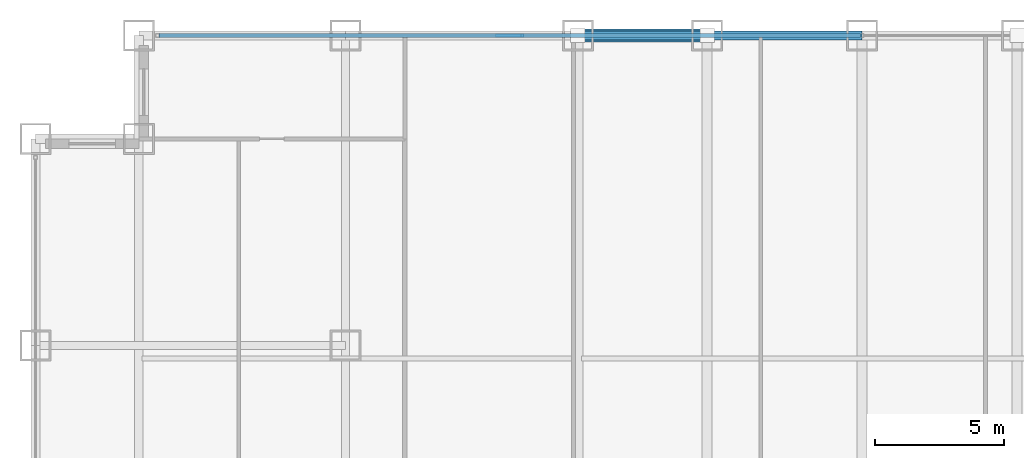
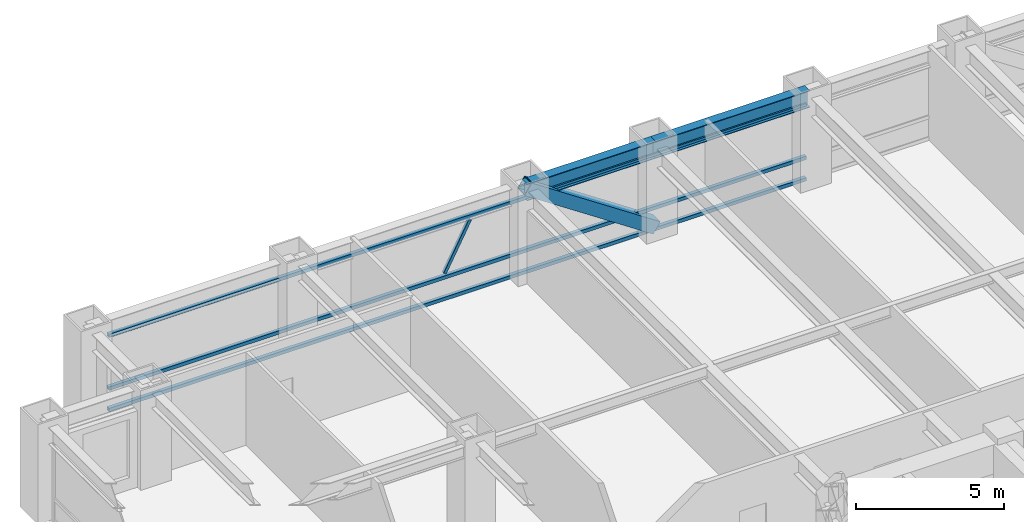
# One storey, part 18 of 27: 5 members, 2 beams, 1 element without a shape of its own.
"""IFC4 building model written with IfcOpenShell, lengths in metres."""

from ifc_helpers import new_model, si_unit, direction, frame, origin, origin_2d, place, context, subcontext, project, spatial, hollow_rectangle, i_section, extrude, source, transform, mapped, material, material_profile, profile_set, type_object, element, aggregate, save


model = new_model("IFC4")

# Units and contexts
model_context = context("Model", 3, precision=1e-05, world=origin(), true_north=direction((0.0, 1.0)))
body_context = subcontext(model_context, "Body", "Model", "MODEL_VIEW")
ifc_project = project(units=[si_unit("LENGTHUNIT", "METRE"), si_unit("AREAUNIT", "SQUARE_METRE"), si_unit("VOLUMEUNIT", "CUBIC_METRE"), si_unit("PLANEANGLEUNIT", "RADIAN"), si_unit("MASSUNIT", "GRAM", prefix="KILO")], contexts=[model_context])

# Site, building, storey
site_placement = place(None, origin())
site = spatial("IfcSite", under=ifc_project, at=site_placement, CompositionType="ELEMENT")
building_placement = place(site_placement, origin())
building = spatial("IfcBuilding", under=site, at=building_placement, Name="Khorayat Bourse Tower", CompositionType="ELEMENT")
storey_placement = place(building_placement, frame((0.0, 0.0, 140.60009765625)))
storey = spatial("IfcBuildingStorey", under=building, at=storey_placement, Name="L32", CompositionType="ELEMENT", Elevation=140.60009765625)

# Beams
ifc_material_1 = material(Name="Steel ASTM A992 Grade 50", Category="steel")
ifc_material_profile_1 = material_profile(ifc_material_1, i_section(OverallWidth=0.35498046875, OverallDepth=0.695068359375, WebThickness=0.015380859375, FlangeThickness=0.02490234375, FilletRadius=0.01806640625, at=origin_2d()), Name="W690X217")
ifc_profile_set_1 = profile_set([ifc_material_profile_1], Name="Steel ASTM A992 Grade 50")
beam_type = type_object("IfcBeamType", Name="BM-SPAN-690", PredefinedType="SPANDREL", material=ifc_profile_set_1)
shared_shape_1 = source(origin(), body_context, "Body", "SweptSolid", [
    extrude(i_section(OverallWidth=0.35498046875, OverallDepth=0.695068359375, WebThickness=0.015380859375, FlangeThickness=0.02490234375, FilletRadius=0.01806640625, at=origin_2d()), origin(), (0.0, 0.0, 1.0), 5.0),
])
beam_1_placement = place(storey_placement, frame((-11.0, 32.0, 3.412353515625), z_axis=(1.0, 0.0, 0.0), x_axis=(0.0, 1.0, 0.0)))
element("IfcBeam", 1, at=beam_1_placement, inside=storey, type_object=beam_type, Name="L32 BM-SPAN-690 BM-L32-SPN-049", PredefinedType="SPANDREL", context=body_context, shape_type="MappedRepresentation", body=[
    mapped(shared_shape_1, transform((0.0, 0.0, 0.0), scale=1.0)),
])
shared_shape_2 = source(origin(), body_context, "Body", "SweptSolid", [
    extrude(i_section(OverallWidth=0.35498046875, OverallDepth=0.695068359375, WebThickness=0.015380859375, FlangeThickness=0.02490234375, FilletRadius=0.01806640625, at=origin_2d()), origin(), (0.0, 0.0, 1.0), 6.0),
])
beam_2_placement = place(storey_placement, frame((-6.0, 32.0, 3.412353515625), z_axis=(1.0, 0.0, 0.0), x_axis=(0.0, 1.0, 0.0)))
element("IfcBeam", 2, at=beam_2_placement, inside=storey, type_object=beam_type, Name="L32 BM-SPAN-690 BM-L32-SPN-048", PredefinedType="SPANDREL", context=body_context, shape_type="MappedRepresentation", body=[
    mapped(shared_shape_2, transform((0.0, 0.0, 0.0), scale=1.0)),
])

# Member
ifc_material_2 = material(Name="Steel EN 10025-4 S460M", Category="steel")
ifc_material_profile_2 = material_profile(ifc_material_2, hollow_rectangle(XDim=0.5, YDim=0.5, WallThickness=0.028076171875, at=origin_2d()), Name="HSS 500x500x28")
ifc_profile_set_2 = profile_set([ifc_material_profile_2], Name="Steel EN 10025-4 S460M")
member_type_1 = type_object("IfcMemberType", Name="MBR-TUBE-500", PredefinedType="BRACE", material=ifc_profile_set_2)
shared_shape_3 = source(origin(), body_context, "Body", "SweptSolid", [
    extrude(hollow_rectangle(XDim=0.5, YDim=0.5, WallThickness=0.028076171875, at=origin_2d()), origin(), (0.0, 0.0, 1.0), 6.012939453125),
])
member_1_placement = place(storey_placement, frame((-11.0, 32.0, 3.58984375), z_axis=(0.831550226979, 0.0, -0.555449565677), x_axis=(0.0, 1.0, 0.0)))
element("IfcMember", 3, at=member_1_placement, inside=storey, type_object=member_type_1, Name="L32 Perimeter Tube Brace 03", PredefinedType="BRACE", context=body_context, shape_type="MappedRepresentation", body=[
    mapped(shared_shape_3, transform((0.0, 0.0, 0.0), scale=1.0)),
])

# Curtain wall, members
ifc_material_3 = material(Name="Aluminium EN AW-6063 T6", Category="aluminium")
curtain_wall_type = type_object("IfcCurtainWallType", Name="CW-SYS-02", PredefinedType="NOTDEFINED", material=ifc_material_3)
curtain_wall_placement = place(storey_placement, origin())
curtain_wall = element("IfcCurtainWall", 4, at=curtain_wall_placement, inside=storey, type_object=curtain_wall_type, Name="L32 Curtain Wall CW-L32-N1", PredefinedType="NOTDEFINED")
ifc_material_profile_3 = material_profile(ifc_material_3, hollow_rectangle(XDim=0.139892578125, YDim=0.139892578125, WallThickness=0.006103515625, at=origin_2d()), Name="ALU 140x140x6")
ifc_profile_set_3 = profile_set([ifc_material_profile_3], Name="Aluminium EN AW-6063 T6")
member_type_2 = type_object("IfcMemberType", Name="CWT-HORZ-140", PredefinedType="USERDEFINED", material=ifc_profile_set_3)
shared_shape_4 = source(origin(), body_context, "Body", "SweptSolid", [
    extrude(hollow_rectangle(XDim=0.139892578125, YDim=0.139892578125, WallThickness=0.006103515625, at=origin_2d()), origin(), (0.0, 0.0, 1.0), 27.139892578125),
])
member_2_placement = place(storey_placement, frame((-27.2099609375, 32.0, 0.06982421875), z_axis=(1.0, 0.0, 0.0), x_axis=(0.0, 1.0, 0.0)))
member_2 = element("IfcMember", 5, at=member_2_placement, type_object=member_type_2, Name="CW-L32-N1 Horizontal Transom 1-1", ObjectType="TRANSOM", PredefinedType="USERDEFINED", context=body_context, shape_type="MappedRepresentation", body=[
    mapped(shared_shape_4, transform((0.0, 0.0, 0.0), scale=1.0)),
])
member_3_placement = place(storey_placement, frame((-27.2099609375, 32.0, 0.949951171875), z_axis=(1.0, 0.0, 0.0), x_axis=(0.0, 1.0, 0.0)))
member_3 = element("IfcMember", 6, at=member_3_placement, type_object=member_type_2, Name="CW-L32-N1 Horizontal Transom 1-2", ObjectType="TRANSOM", PredefinedType="USERDEFINED", context=body_context, shape_type="MappedRepresentation", body=[
    mapped(shared_shape_4, transform((0.0, 0.0, 0.0), scale=1.0)),
])
member_4_placement = place(storey_placement, frame((-27.2099609375, 32.0, 3.119873046875), z_axis=(1.0, 0.0, 0.0), x_axis=(0.0, 1.0, 0.0)))
member_4 = element("IfcMember", 7, at=member_4_placement, type_object=member_type_2, Name="CW-L32-N1 Horizontal Transom 1-3", ObjectType="TRANSOM", PredefinedType="USERDEFINED", context=body_context, shape_type="MappedRepresentation", body=[
    mapped(shared_shape_4, transform((0.0, 0.0, 0.0), scale=1.0)),
])
ifc_material_profile_4 = material_profile(ifc_material_3, hollow_rectangle(XDim=0.1201171875, YDim=0.1201171875, WallThickness=0.0048828125, at=origin_2d()), Name="ALU 120x120x5")
ifc_profile_set_4 = profile_set([ifc_material_profile_4], Name="Aluminium EN AW-6063 T6")
member_type_3 = type_object("IfcMemberType", Name="CWM-DIAG-120", PredefinedType="MULLION", material=ifc_profile_set_4)
shared_shape_5 = source(origin(), body_context, "Body", "SweptSolid", [
    extrude(hollow_rectangle(XDim=0.1201171875, YDim=0.1201171875, WallThickness=0.0048828125, at=origin_2d()), origin(), (0.0, 0.0, 1.0), 2.11328125),
])
member_5_placement = place(storey_placement, frame((-14.132080078125, 32.0, 1.099853515625), z_axis=(0.465694055905, 0.0, 0.884945787207), x_axis=(0.0, 1.0, 0.0)))
member_5 = element("IfcMember", 8, at=member_5_placement, type_object=member_type_3, Name="CW-L32-N1 Faceted Diagonal Mullion 1", PredefinedType="MULLION", context=body_context, shape_type="MappedRepresentation", body=[
    mapped(shared_shape_5, transform((0.0, 0.0, 0.0), scale=1.0)),
])
aggregate(curtain_wall, [member_2, member_3, member_4, member_5])

save(model, "model.ifc")
